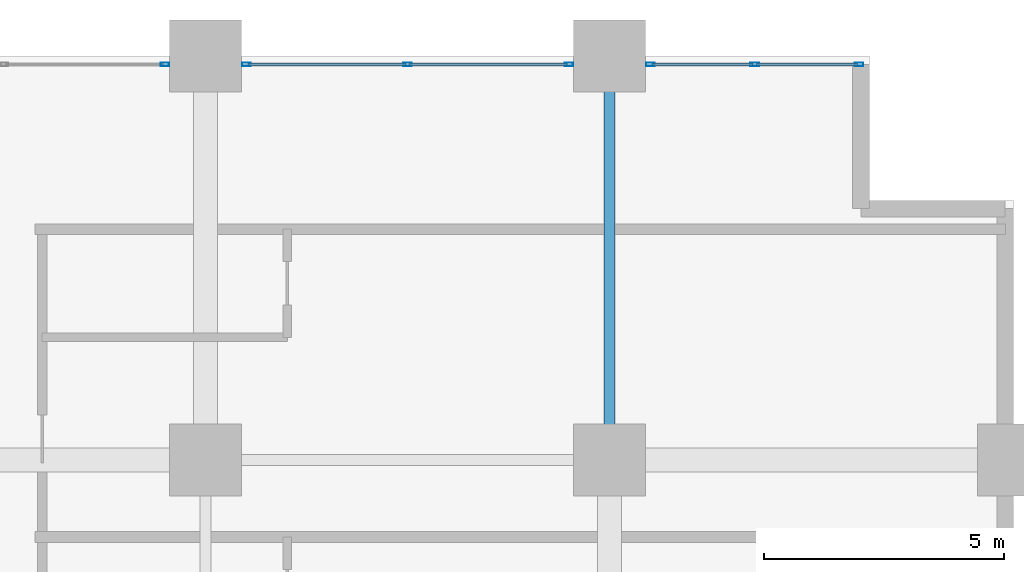
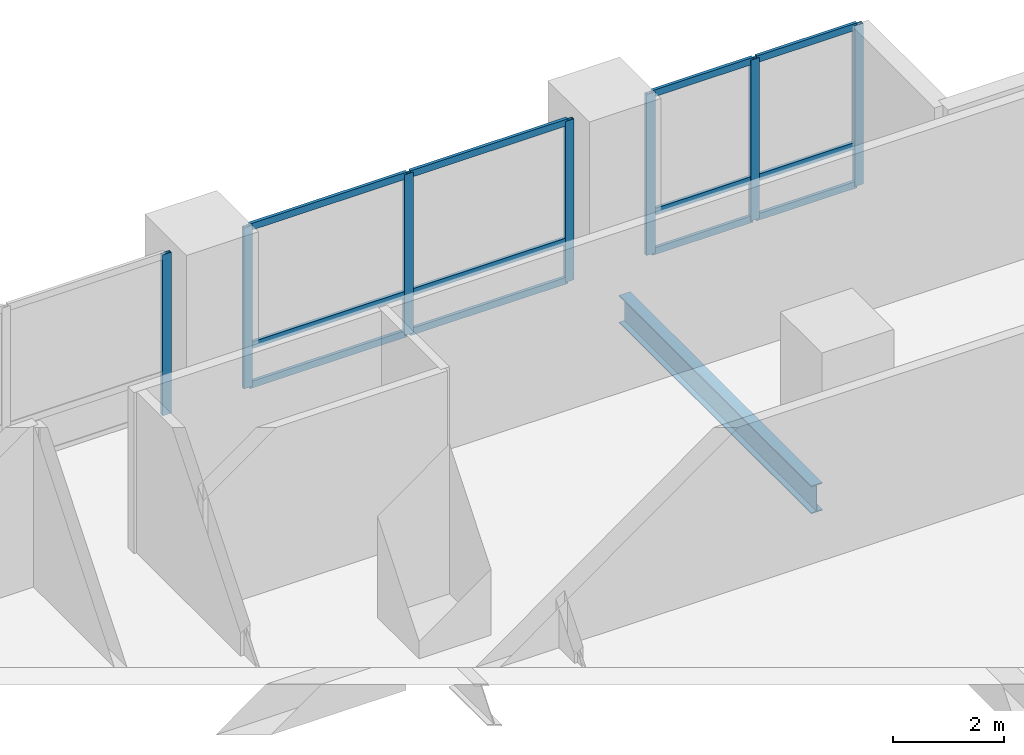
# One storey, part 5 of 22: 19 members, 1 beam, 3 elements without a shape of their own.
"""IFC4 building model written with IfcOpenShell, lengths in metres."""

from ifc_helpers import new_model, si_unit, direction, frame, origin, origin_2d, place, context, subcontext, project, spatial, hollow_rectangle, i_section, extrude, material, layer, layer_set, material_profile, profile_set, type_object, element, aggregate, save


model = new_model("IFC4")

# Units and contexts
model_context = context("Model", 3, precision=1e-05, world=origin(), true_north=direction((0.0, 1.0)))
body_context = subcontext(model_context, "Body", "Model", "MODEL_VIEW")
ifc_project = project(units=[si_unit("LENGTHUNIT", "METRE"), si_unit("AREAUNIT", "SQUARE_METRE"), si_unit("VOLUMEUNIT", "CUBIC_METRE"), si_unit("PLANEANGLEUNIT", "RADIAN"), si_unit("MASSUNIT", "GRAM", prefix="KILO")], contexts=[model_context])

# Site, building, storey
site_placement = place(None, origin())
site = spatial("IfcSite", under=ifc_project, at=site_placement, CompositionType="ELEMENT")
building_placement = place(site_placement, origin())
building = spatial("IfcBuilding", under=site, at=building_placement, Name="Koriwani Terraces Tower", CompositionType="ELEMENT")
storey_placement = place(building_placement, frame((0.0, 0.0, 62.39990234375)))
storey = spatial("IfcBuildingStorey", under=building, at=storey_placement, Name="L14", CompositionType="ELEMENT", Elevation=62.39990234375)

# Curtain wall, member
ifc_material_1 = material(Name="Anodised Bronze Aluminium", Category="aluminium")
ifc_layer = layer(ifc_material_1, 0.179931640625, Name="Anodised Bronze Aluminium")
ifc_layer_set = layer_set([ifc_layer], Name="Anodised Bronze Aluminium")
curtain_wall_type = type_object("IfcCurtainWallType", Name="CW_HOTEL_ZONE1", PredefinedType="NOTDEFINED", material=ifc_layer_set)
curtain_wall_1_placement = place(storey_placement, origin())
curtain_wall_1 = element("IfcCurtainWall", 1, at=curtain_wall_1_placement, inside=storey, type_object=curtain_wall_type, Name="L14 Unitised Curtain Wall (N_TIP) Bay 2", PredefinedType="NOTDEFINED")
ifc_material_profile_1 = material_profile(ifc_material_1, hollow_rectangle(XDim=0.074951171875, YDim=0.179931640625, WallThickness=0.006103515625, at=origin_2d()), Name="Anodised Bronze Aluminium", Category="LoadBearing")
ifc_profile_set_1 = profile_set([ifc_material_profile_1], Name="Anodised Bronze Aluminium")
member_type_1 = type_object("IfcMemberType", Name="CW_MULLION_180X75", PredefinedType="MULLION", material=ifc_profile_set_1)
member_1_placement = place(storey_placement, frame((15.952392578125, 92.22509765625, 0.0), z_axis=(0.0, 0.0, 1.0), x_axis=(0.0, 1.0, 0.0)))
member_1 = element("IfcMember", 2, at=member_1_placement, type_object=member_type_1, Name="CW-Z1 mullion 3", PredefinedType="MULLION", context=body_context, shape_type="SweptSolid", body=[
    extrude(hollow_rectangle(XDim=0.074951171875, YDim=0.179931640625, WallThickness=0.006103515625, at=origin_2d()), origin(), (0.0, 0.0, 1.0), 3.550048828125),
])
aggregate(curtain_wall_1, [member_1])

# Curtain wall, members
curtain_wall_2_placement = place(storey_placement, origin())
curtain_wall_2 = element("IfcCurtainWall", 3, at=curtain_wall_2_placement, inside=storey, type_object=curtain_wall_type, Name="L14 Unitised Curtain Wall (N_TIP) Bay 3", PredefinedType="NOTDEFINED")
member_2_placement = place(storey_placement, frame((17.6474609375, 92.22509765625, 0.0), z_axis=(0.0, 0.0, 1.0), x_axis=(0.0, 1.0, 0.0)))
member_2 = element("IfcMember", 4, at=member_2_placement, type_object=member_type_1, Name="CW-Z1 mullion 1", PredefinedType="MULLION", context=body_context, shape_type="SweptSolid", body=[
    extrude(hollow_rectangle(XDim=0.074951171875, YDim=0.179931640625, WallThickness=0.006103515625, at=origin_2d()), origin(), (0.0, 0.0, 1.0), 3.550048828125),
])
member_3_placement = place(storey_placement, frame((21.0, 92.22509765625, 0.0), z_axis=(0.0, 0.0, 1.0), x_axis=(0.0, 1.0, 0.0)))
member_3 = element("IfcMember", 5, at=member_3_placement, type_object=member_type_1, Name="CW-Z1 mullion 2", PredefinedType="MULLION", context=body_context, shape_type="SweptSolid", body=[
    extrude(hollow_rectangle(XDim=0.074951171875, YDim=0.179931640625, WallThickness=0.006103515625, at=origin_2d()), origin(), (0.0, 0.0, 1.0), 3.550048828125),
])
member_4_placement = place(storey_placement, frame((24.3525390625, 92.22509765625, 0.0), z_axis=(0.0, 0.0, 1.0), x_axis=(0.0, 1.0, 0.0)))
member_4 = element("IfcMember", 6, at=member_4_placement, type_object=member_type_1, Name="CW-Z1 mullion 3", PredefinedType="MULLION", context=body_context, shape_type="SweptSolid", body=[
    extrude(hollow_rectangle(XDim=0.074951171875, YDim=0.179931640625, WallThickness=0.006103515625, at=origin_2d()), origin(), (0.0, 0.0, 1.0), 3.550048828125),
])

curtain_wall_3_placement = place(storey_placement, origin())
curtain_wall_3 = element("IfcCurtainWall", 7, at=curtain_wall_3_placement, inside=storey, type_object=curtain_wall_type, Name="L14 Unitised Curtain Wall (N_TIP) Bay 4", PredefinedType="NOTDEFINED")
member_5_placement = place(storey_placement, frame((26.047607421875, 92.22509765625, 0.0), z_axis=(0.0, 0.0, 1.0), x_axis=(0.0, 1.0, 0.0)))
member_5 = element("IfcMember", 8, at=member_5_placement, type_object=member_type_1, Name="CW-Z1 mullion 1", PredefinedType="MULLION", context=body_context, shape_type="SweptSolid", body=[
    extrude(hollow_rectangle(XDim=0.074951171875, YDim=0.179931640625, WallThickness=0.006103515625, at=origin_2d()), origin(), (0.0, 0.0, 1.0), 3.550048828125),
])
member_6_placement = place(storey_placement, frame((28.217529296875, 92.22509765625, 0.0), z_axis=(0.0, 0.0, 1.0), x_axis=(0.0, 1.0, 0.0)))
member_6 = element("IfcMember", 9, at=member_6_placement, type_object=member_type_1, Name="CW-Z1 mullion 2", PredefinedType="MULLION", context=body_context, shape_type="SweptSolid", body=[
    extrude(hollow_rectangle(XDim=0.074951171875, YDim=0.179931640625, WallThickness=0.006103515625, at=origin_2d()), origin(), (0.0, 0.0, 1.0), 3.550048828125),
])
member_7_placement = place(storey_placement, frame((30.387451171875, 92.22509765625, 0.0), z_axis=(0.0, 0.0, 1.0), x_axis=(0.0, 1.0, 0.0)))
member_7 = element("IfcMember", 10, at=member_7_placement, type_object=member_type_1, Name="CW-Z1 mullion 3", PredefinedType="MULLION", context=body_context, shape_type="SweptSolid", body=[
    extrude(hollow_rectangle(XDim=0.074951171875, YDim=0.179931640625, WallThickness=0.006103515625, at=origin_2d()), origin(), (0.0, 0.0, 1.0), 3.550048828125),
])

# Member
ifc_material_profile_2 = material_profile(ifc_material_1, hollow_rectangle(XDim=0.06494140625, YDim=0.14990234375, WallThickness=0.0048828125, at=origin_2d()), Name="Anodised Bronze Aluminium", Category="LoadBearing")
ifc_profile_set_2 = profile_set([ifc_material_profile_2], Name="Anodised Bronze Aluminium")
member_type_2 = type_object("IfcMemberType", Name="CW_TRANSOM_150X65", PredefinedType="USERDEFINED", material=ifc_profile_set_2)
member_8_placement = place(storey_placement, frame((17.68505859375, 92.22509765625, 0.03271484375), z_axis=(1.0, 0.0, 0.0), x_axis=(0.0, 1.0, 0.0)))
member_8 = element("IfcMember", 11, at=member_8_placement, type_object=member_type_2, Name="CW-Z1 transom 1.1", ObjectType="TRANSOM", PredefinedType="USERDEFINED", context=body_context, shape_type="SweptSolid", body=[
    extrude(hollow_rectangle(XDim=0.06494140625, YDim=0.14990234375, WallThickness=0.0048828125, at=origin_2d()), origin(), (0.0, 0.0, 1.0), 3.27734375),
])

member_9_placement = place(storey_placement, frame((17.68505859375, 92.22509765625, 0.900146484375), z_axis=(1.0, 0.0, 0.0), x_axis=(0.0, 1.0, 0.0)))
member_9 = element("IfcMember", 12, at=member_9_placement, type_object=member_type_2, Name="CW-Z1 transom 1.2", ObjectType="TRANSOM", PredefinedType="USERDEFINED", context=body_context, shape_type="SweptSolid", body=[
    extrude(hollow_rectangle(XDim=0.06494140625, YDim=0.14990234375, WallThickness=0.0048828125, at=origin_2d()), origin(), (0.0, 0.0, 1.0), 3.27734375),
])

member_10_placement = place(storey_placement, frame((17.68505859375, 92.22509765625, 3.517578125), z_axis=(1.0, 0.0, 0.0), x_axis=(0.0, 1.0, 0.0)))
member_10 = element("IfcMember", 13, at=member_10_placement, type_object=member_type_2, Name="CW-Z1 transom 1.3", ObjectType="TRANSOM", PredefinedType="USERDEFINED", context=body_context, shape_type="SweptSolid", body=[
    extrude(hollow_rectangle(XDim=0.06494140625, YDim=0.14990234375, WallThickness=0.0048828125, at=origin_2d()), origin(), (0.0, 0.0, 1.0), 3.27734375),
])

member_11_placement = place(storey_placement, frame((21.03759765625, 92.22509765625, 0.03271484375), z_axis=(1.0, 0.0, 0.0), x_axis=(0.0, 1.0, 0.0)))
member_11 = element("IfcMember", 14, at=member_11_placement, type_object=member_type_2, Name="CW-Z1 transom 2.1", ObjectType="TRANSOM", PredefinedType="USERDEFINED", context=body_context, shape_type="SweptSolid", body=[
    extrude(hollow_rectangle(XDim=0.06494140625, YDim=0.14990234375, WallThickness=0.0048828125, at=origin_2d()), origin(), (0.0, 0.0, 1.0), 3.27734375),
])

member_12_placement = place(storey_placement, frame((21.03759765625, 92.22509765625, 0.900146484375), z_axis=(1.0, 0.0, 0.0), x_axis=(0.0, 1.0, 0.0)))
member_12 = element("IfcMember", 15, at=member_12_placement, type_object=member_type_2, Name="CW-Z1 transom 2.2", ObjectType="TRANSOM", PredefinedType="USERDEFINED", context=body_context, shape_type="SweptSolid", body=[
    extrude(hollow_rectangle(XDim=0.06494140625, YDim=0.14990234375, WallThickness=0.0048828125, at=origin_2d()), origin(), (0.0, 0.0, 1.0), 3.27734375),
])

member_13_placement = place(storey_placement, frame((21.03759765625, 92.22509765625, 3.517578125), z_axis=(1.0, 0.0, 0.0), x_axis=(0.0, 1.0, 0.0)))
member_13 = element("IfcMember", 16, at=member_13_placement, type_object=member_type_2, Name="CW-Z1 transom 2.3", ObjectType="TRANSOM", PredefinedType="USERDEFINED", context=body_context, shape_type="SweptSolid", body=[
    extrude(hollow_rectangle(XDim=0.06494140625, YDim=0.14990234375, WallThickness=0.0048828125, at=origin_2d()), origin(), (0.0, 0.0, 1.0), 3.27734375),
])

aggregate(curtain_wall_2, [member_2, member_3, member_4, member_8, member_9, member_10, member_11, member_12, member_13])

member_14_placement = place(storey_placement, frame((26.0849609375, 92.22509765625, 0.03271484375), z_axis=(1.0, 0.0, 0.0), x_axis=(0.0, 1.0, 0.0)))
member_14 = element("IfcMember", 17, at=member_14_placement, type_object=member_type_2, Name="CW-Z1 transom 1.1", ObjectType="TRANSOM", PredefinedType="USERDEFINED", context=body_context, shape_type="SweptSolid", body=[
    extrude(hollow_rectangle(XDim=0.06494140625, YDim=0.14990234375, WallThickness=0.0048828125, at=origin_2d()), origin(), (0.0, 0.0, 1.0), 2.094970703125),
])

member_15_placement = place(storey_placement, frame((26.0849609375, 92.22509765625, 0.900146484375), z_axis=(1.0, 0.0, 0.0), x_axis=(0.0, 1.0, 0.0)))
member_15 = element("IfcMember", 18, at=member_15_placement, type_object=member_type_2, Name="CW-Z1 transom 1.2", ObjectType="TRANSOM", PredefinedType="USERDEFINED", context=body_context, shape_type="SweptSolid", body=[
    extrude(hollow_rectangle(XDim=0.06494140625, YDim=0.14990234375, WallThickness=0.0048828125, at=origin_2d()), origin(), (0.0, 0.0, 1.0), 2.094970703125),
])

member_16_placement = place(storey_placement, frame((26.0849609375, 92.22509765625, 3.517578125), z_axis=(1.0, 0.0, 0.0), x_axis=(0.0, 1.0, 0.0)))
member_16 = element("IfcMember", 19, at=member_16_placement, type_object=member_type_2, Name="CW-Z1 transom 1.3", ObjectType="TRANSOM", PredefinedType="USERDEFINED", context=body_context, shape_type="SweptSolid", body=[
    extrude(hollow_rectangle(XDim=0.06494140625, YDim=0.14990234375, WallThickness=0.0048828125, at=origin_2d()), origin(), (0.0, 0.0, 1.0), 2.094970703125),
])

member_17_placement = place(storey_placement, frame((28.2548828125, 92.22509765625, 0.03271484375), z_axis=(1.0, 0.0, 0.0), x_axis=(0.0, 1.0, 0.0)))
member_17 = element("IfcMember", 20, at=member_17_placement, type_object=member_type_2, Name="CW-Z1 transom 2.1", ObjectType="TRANSOM", PredefinedType="USERDEFINED", context=body_context, shape_type="SweptSolid", body=[
    extrude(hollow_rectangle(XDim=0.06494140625, YDim=0.14990234375, WallThickness=0.0048828125, at=origin_2d()), origin(), (0.0, 0.0, 1.0), 2.09521484375),
])

member_18_placement = place(storey_placement, frame((28.2548828125, 92.22509765625, 0.900146484375), z_axis=(1.0, 0.0, 0.0), x_axis=(0.0, 1.0, 0.0)))
member_18 = element("IfcMember", 21, at=member_18_placement, type_object=member_type_2, Name="CW-Z1 transom 2.2", ObjectType="TRANSOM", PredefinedType="USERDEFINED", context=body_context, shape_type="SweptSolid", body=[
    extrude(hollow_rectangle(XDim=0.06494140625, YDim=0.14990234375, WallThickness=0.0048828125, at=origin_2d()), origin(), (0.0, 0.0, 1.0), 2.09521484375),
])

member_19_placement = place(storey_placement, frame((28.2548828125, 92.22509765625, 3.517578125), z_axis=(1.0, 0.0, 0.0), x_axis=(0.0, 1.0, 0.0)))
member_19 = element("IfcMember", 22, at=member_19_placement, type_object=member_type_2, Name="CW-Z1 transom 2.3", ObjectType="TRANSOM", PredefinedType="USERDEFINED", context=body_context, shape_type="SweptSolid", body=[
    extrude(hollow_rectangle(XDim=0.06494140625, YDim=0.14990234375, WallThickness=0.0048828125, at=origin_2d()), origin(), (0.0, 0.0, 1.0), 2.09521484375),
])

aggregate(curtain_wall_3, [member_5, member_6, member_7, member_14, member_15, member_16, member_17, member_18, member_19])

# Beam
ifc_material_2 = material(Name="Steel ASTM A572 Grade 50", Category="steel")
ifc_material_profile_3 = material_profile(ifc_material_2, i_section(OverallWidth=0.23095703125, OverallDepth=0.616943359375, WebThickness=0.015380859375, FlangeThickness=0.0244140625, at=origin_2d()), Name="Steel ASTM A572 Grade 50", Category="LoadBearing")
ifc_profile_set_3 = profile_set([ifc_material_profile_3], Name="Steel ASTM A572 Grade 50")
beam_type = type_object("IfcBeamType", Name="STEEL_BEAM_W610X195", PredefinedType="BEAM", material=ifc_profile_set_3)
beam_placement = place(storey_placement, frame((25.199951171875, 84.72998046875, -0.558349609375), z_axis=(0.0, 1.0, 0.0), x_axis=(-1.0, 0.0, 0.0)))
element("IfcBeam", 23, at=beam_placement, inside=storey, type_object=beam_type, Name="L14 Grid Beam 4 (84.0-92.4m)", PredefinedType="BEAM", context=body_context, shape_type="SweptSolid", body=[
    extrude(i_section(OverallWidth=0.23095703125, OverallDepth=0.616943359375, WebThickness=0.015380859375, FlangeThickness=0.0244140625, at=origin_2d()), origin(), (0.0, 0.0, 1.0), 6.93994140625),
])

save(model, "model.ifc")
